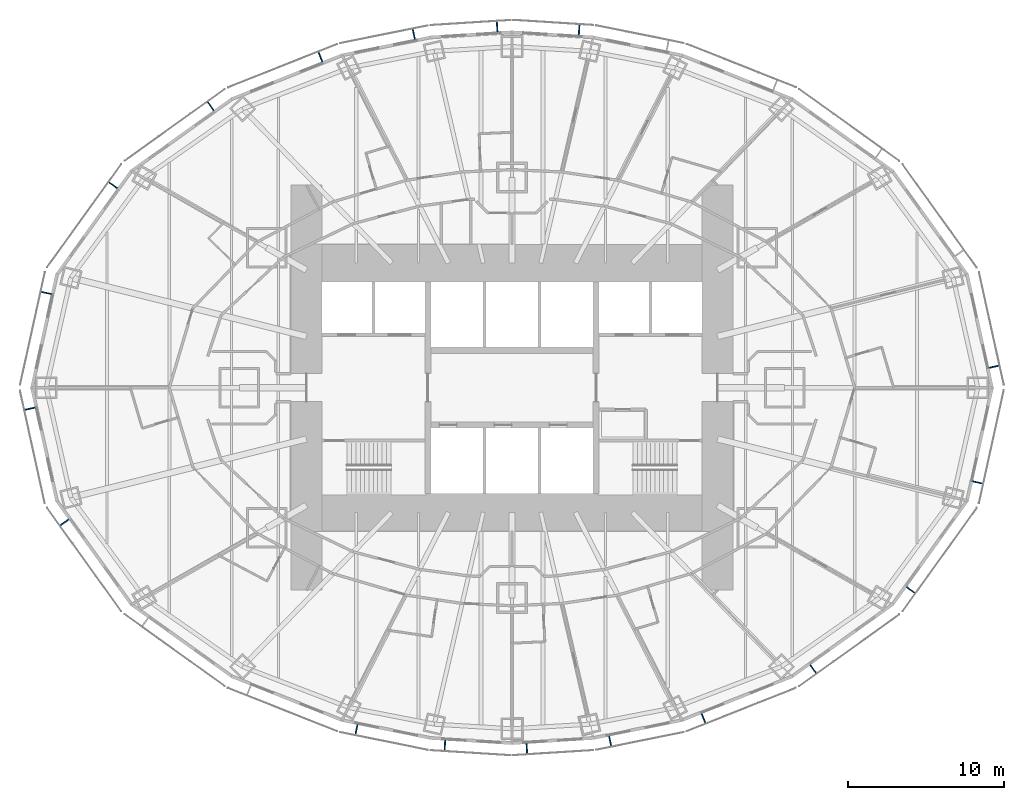
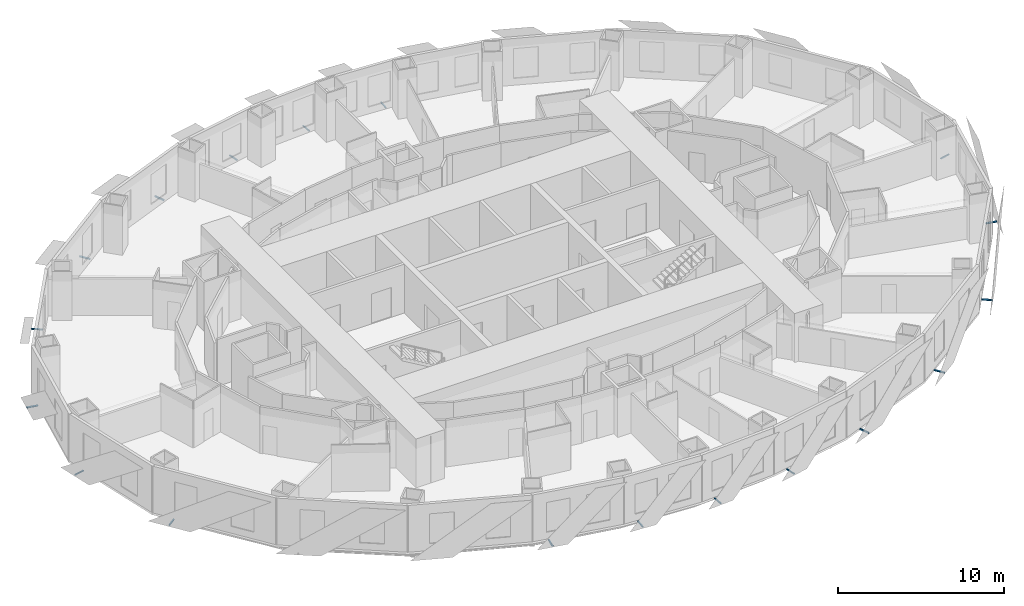
# One storey, part 11 of 15: 18 discrete accessories.
"""IFC4 building model written with IfcOpenShell, lengths in metres."""

from ifc_helpers import new_model, si_unit, direction, frame, origin, origin_2d, place, context, subcontext, project, spatial, rectangle, extrude, element, save


model = new_model("IFC4")

# Units and contexts
model_context = context("Model", 3, precision=1e-05, world=origin(), true_north=direction((0.0, 1.0)))
body_context = subcontext(model_context, "Body", "Model", "MODEL_VIEW")
ifc_project = project(units=[si_unit("LENGTHUNIT", "METRE"), si_unit("AREAUNIT", "SQUARE_METRE"), si_unit("VOLUMEUNIT", "CUBIC_METRE"), si_unit("PLANEANGLEUNIT", "RADIAN"), si_unit("MASSUNIT", "GRAM", prefix="KILO")], contexts=[model_context])

# Site, building, storey
site_placement = place(None, origin())
site = spatial("IfcSite", under=ifc_project, at=site_placement, CompositionType="ELEMENT")
building_placement = place(site_placement, origin())
building = spatial("IfcBuilding", under=site, at=building_placement, Name="Lantaw Convention Tower", CompositionType="ELEMENT")
storey_placement = place(building_placement, frame((0.0, 0.0, 80.199951171875)))
storey = spatial("IfcBuildingStorey", under=building, at=storey_placement, Name="L18", CompositionType="ELEMENT", Elevation=80.199951171875)

# Discrete accessories
for number, where, z_axis, x_axis, name in (
    (1, (30.967529296875, 1.35009765625, -0.114990234375), (0.0, 0.0, 1.0), (-0.215246056391, 0.976559847223, 0.0), "Screen bracket"),
    (2, (4.310302734375, 22.987548828125, -0.114990234375), (0.0, 0.0, 1.0), (-0.998016153807, 0.062958373078, 0.0), "Screen bracket"),
    (3, (-0.9560546875, 23.19921875, -0.114990234375), (0.0, 0.0, 1.0), (-0.998016153807, -0.062958373078, 0.0), "Screen bracket"),
    (4, (-6.307861328125, 22.71728515625, -0.114990234375), (0.0, 0.0, 1.0), (-0.980244604501, -0.197789067813, 0.0), "Screen bracket"),
    (5, (-12.309814453125, 21.25732421875, -0.114990234375), (0.0, 0.0, 1.0), (-0.929361152748, -0.369171840425, 0.0), "Screen bracket"),
    (6, (-19.352294921875, 18.085205078125, -0.114990234375), (0.0, 0.0, 1.0), (-0.812803733199, -0.5825376308, 0.0), "Screen bracket"),
    (7, (-25.61962890625, 13.004638671875, -0.114990234375), (0.0, 0.0, 1.0), (-0.583951250436, -0.811788726895, 0.0), "Screen bracket"),
    (8, (-29.92333984375, 6.087890625, -0.114990234375), (0.0, 0.0, 1.0), (-0.215246056391, -0.976559847223, 0.0), "Screen bracket"),
    (9, (-30.967529296875, -1.35009765625, -0.114990234375), (0.0, 0.0, 1.0), (0.215246056391, -0.976559847223, 0.0), "Screen bracket"),
    (10, (-28.745849609375, -8.65869140625, -0.114990234375), (0.0, 0.0, 1.0), (0.583951250436, -0.811788726895, 0.0), "Screen bracket"),
    (11, (-9.990478515625, -21.974365234375, -0.114990234375), (0.0, 0.0, 1.0), (0.980244604501, -0.197789067813, 0.0), "Screen bracket"),
    (12, (-4.310302734375, -22.987548828125, -0.114990234375), (0.0, 0.0, 1.0), (0.998016153807, -0.062958373078, 0.0), "Screen bracket"),
    (13, (0.9560546875, -23.19921875, -0.114990234375), (0.0, 0.0, 1.0), (0.998016153807, 0.062958373078, 0.0), "Screen bracket"),
    (14, (6.307861328125, -22.71728515625, -0.114990234375), (0.0, 0.0, 1.0), (0.980244604501, 0.197789067813, 0.0), "Screen bracket"),
    (15, (12.309814453125, -21.25732421875, -0.114990234375), (0.0, 0.0, 1.0), (0.929361152748, 0.369171840425, 0.0), "Screen bracket"),
    (16, (19.352294921875, -18.085205078125, -0.114990234375), (0.0, 0.0, 1.0), (0.812803733199, 0.5825376308, 0.0), "Screen bracket"),
    (17, (25.61962890625, -13.004638671875, -0.114990234375), (0.0, 0.0, 1.0), (0.583951250436, 0.811788726895, 0.0), "Screen bracket"),
    (18, (29.92333984375, -6.087890625, -0.114990234375), (0.0, 0.0, 1.0), (0.215246056391, 0.976559847223, 0.0), "Screen bracket"),
):
    element("IfcDiscreteAccessory", number, at=place(storey_placement, frame(where, z_axis=z_axis, x_axis=x_axis)), inside=storey, Name=name, PredefinedType="BRACKET", context=body_context, shape_type="SweptSolid", body=[
        extrude(rectangle(XDim=0.080078125, YDim=0.68798828125, at=origin_2d()), origin(), (0.0, 0.0, 1.0), 0.080078125),
    ])

save(model, "model.ifc")
